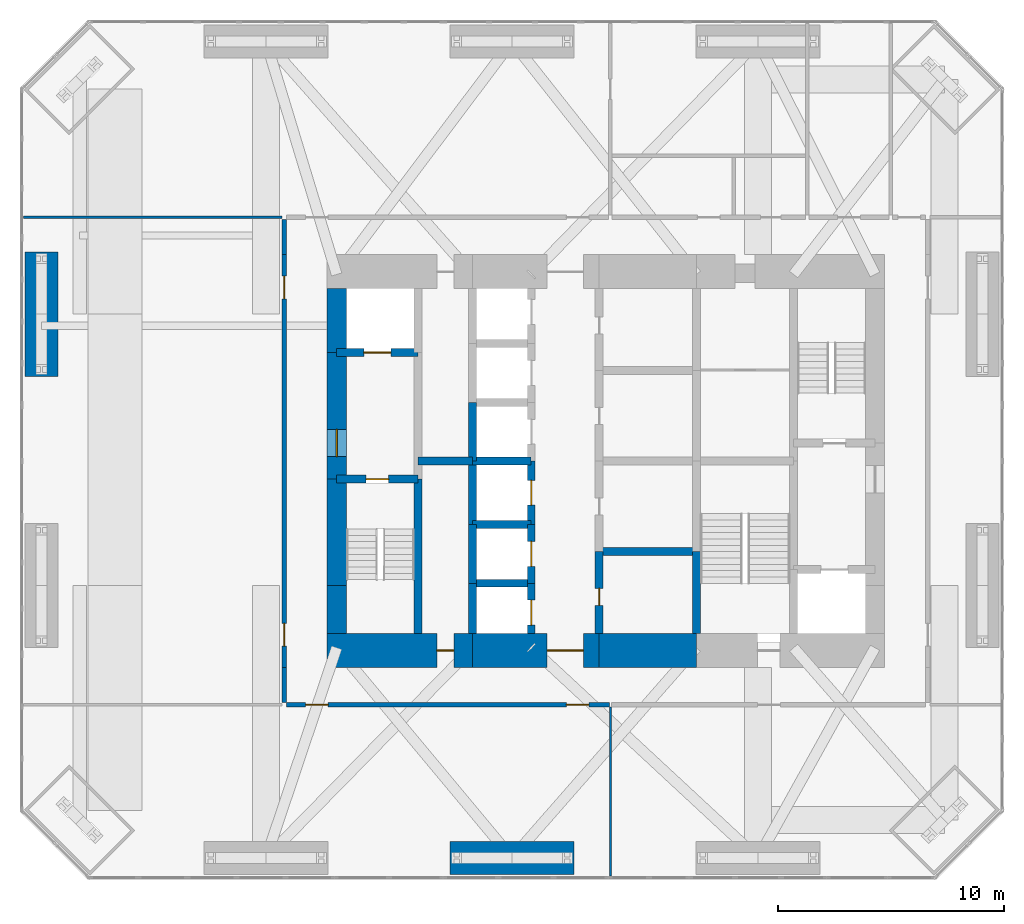
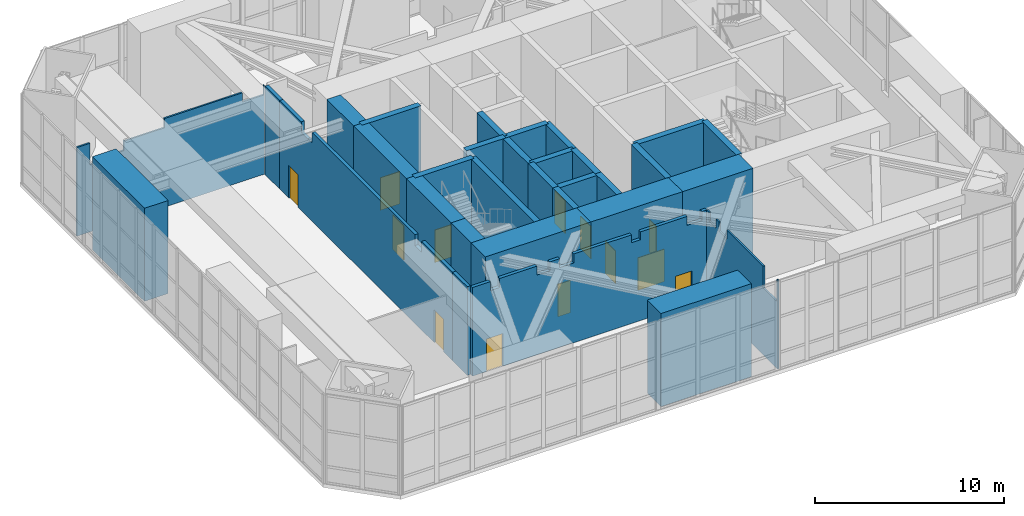
# One storey, part 14 of 18: 32 walls, 13 doors, 13 openings.
"""IFC4 building model written with IfcOpenShell, lengths in metres."""

from ifc_helpers import new_model, si_unit, direction, frame, frame_2d, origin, place, context, subcontext, project, spatial, polyline, rectangle, outline, extrude, material, layer, layer_set, constituent, constituent_set, type_object, element, fill, save


model = new_model("IFC4")

# Units and contexts
model_context = context("Model", 3, precision=1e-05, world=origin(), true_north=direction((0.0, 1.0)))
body_context = subcontext(model_context, "Body", "Model", "MODEL_VIEW")
ifc_project = project(units=[si_unit("LENGTHUNIT", "METRE"), si_unit("AREAUNIT", "SQUARE_METRE"), si_unit("VOLUMEUNIT", "CUBIC_METRE"), si_unit("PLANEANGLEUNIT", "RADIAN"), si_unit("MASSUNIT", "GRAM", prefix="KILO")], contexts=[model_context])

# Site, building, storey
site_placement = place(None, origin())
site = spatial("IfcSite", under=ifc_project, at=site_placement, CompositionType="ELEMENT")
building_placement = place(site_placement, origin())
building = spatial("IfcBuilding", under=site, at=building_placement, Name="Jalousie Tower", CompositionType="ELEMENT")
storey_placement = place(building_placement, frame((0.0, 0.0, 138.35009765625)))
storey = spatial("IfcBuildingStorey", under=building, at=storey_placement, Name="L38", CompositionType="ELEMENT", Elevation=138.35009765625)

# Wall, opening, door
ifc_material_1 = material(Name="Concrete f'c 120 MPa", Category="concrete")
ifc_layer_1 = layer(ifc_material_1, 1.5)
ifc_layer_set_1 = layer_set([ifc_layer_1], Name="Concrete f'c 120 MPa")
wall_type_1 = type_object("IfcWallType", Name="CORE WALL 1500", PredefinedType="SHEAR", material=ifc_layer_set_1)
wall_1_placement = place(storey_placement, frame((19.574951171875, 10.125, 0.0), z_axis=(0.0, 0.0, 1.0), x_axis=(1.0, 0.0, 0.0)))
wall_1 = element("IfcWall", 1, at=wall_1_placement, inside=storey, type_object=wall_type_1, Name="Core wall SA L38", PredefinedType="SHEAR", context=body_context, shape_type="SweptSolid", body=[
    extrude(rectangle(XDim=6.425048828125, YDim=1.5, at=frame_2d((3.21240234375, 0.0))), origin(), (0.0, 0.0, 1.0), 6.0),
])
opening_1_placement = place(wall_1_placement, frame((4.85009765625, 0.0, 0.0)))
opening_1 = element("IfcOpeningElement", 2, at=opening_1_placement, cuts=wall_1, Name="Opening D16", PredefinedType="OPENING", context=body_context, shape_type="SweptSolid", body=[
    extrude(rectangle(XDim=0.75, YDim=2.10009765625, at=frame_2d((0.375, 1.050048828125))), frame((0.0, 0.760009765625, 0.0), z_axis=(0.0, -1.0, 0.0), x_axis=(1.0, 0.0, 0.0)), (0.0, 0.0, 1.0), 1.52001953125),
])
ifc_material_2 = material(Name="Steel fire door", Category="steel")
door_type_1 = type_object("IfcDoorType", Name="RISER DOOR 750", OperationType="SINGLE_SWING_LEFT", PredefinedType="DOOR", material=ifc_material_2)
door_1_placement = place(opening_1_placement, origin())
door_1 = element("IfcDoor", 3, at=door_1_placement, inside=storey, type_object=door_type_1, Name="South riser door", OperationType="SINGLE_SWING_LEFT", OverallHeight=2.10009765625, OverallWidth=0.75, PredefinedType="DOOR", context=body_context, shape_type="SweptSolid", body=[
    extrude(rectangle(XDim=0.75, YDim=2.10009765625, at=frame_2d((0.375, 1.050048828125))), frame((0.0, 0.02490234375, 0.0), z_axis=(0.0, -1.0, 0.0), x_axis=(1.0, 0.0, 0.0)), (0.0, 0.0, 1.0), 0.050048828125),
])
fill(opening_1, door_1)

wall_2_placement = place(storey_placement, frame((26.0, 10.125, 0.0), z_axis=(0.0, 0.0, 1.0), x_axis=(1.0, 0.0, 0.0)))
wall_2 = element("IfcWall", 4, at=wall_2_placement, inside=storey, type_object=wall_type_1, Name="Core wall SB L38", PredefinedType="SHEAR", context=body_context, shape_type="SweptSolid", body=[
    extrude(rectangle(XDim=5.60009765625, YDim=1.5, at=frame_2d((2.800048828125, 0.0))), origin(), (0.0, 0.0, 1.0), 6.0),
])
opening_2_placement = place(wall_2_placement, frame((3.300048828125, 0.0, 0.0)))
opening_2 = element("IfcOpeningElement", 5, at=opening_2_placement, cuts=wall_2, Name="Opening D15", PredefinedType="OPENING", context=body_context, shape_type="SweptSolid", body=[
    extrude(rectangle(XDim=1.60009765625, YDim=2.10009765625, at=frame_2d((0.800048828125, 1.050048828125))), frame((0.0, 0.760009765625, 0.0), z_axis=(0.0, -1.0, 0.0), x_axis=(1.0, 0.0, 0.0)), (0.0, 0.0, 1.0), 1.52001953125),
])
ifc_material_3 = material(Name="Steel fire door", Category="steel")
door_type_2 = type_object("IfcDoorType", Name="LIFT LOBBY DOOR 1600", OperationType="DOUBLE_DOOR_SINGLE_SWING", PredefinedType="DOOR", material=ifc_material_3)
door_2_placement = place(opening_2_placement, origin())
door_2 = element("IfcDoor", 6, at=door_2_placement, inside=storey, type_object=door_type_2, Name="Lift lobby south door", OperationType="DOUBLE_DOOR_SINGLE_SWING", OverallHeight=2.10009765625, OverallWidth=1.60009765625, PredefinedType="DOOR", context=body_context, shape_type="SweptSolid", body=[
    extrude(rectangle(XDim=1.60009765625, YDim=2.10009765625, at=frame_2d((0.800048828125, 1.050048828125))), frame((0.0, 0.02490234375, 0.0), z_axis=(0.0, -1.0, 0.0), x_axis=(1.0, 0.0, 0.0)), (0.0, 0.0, 1.0), 0.050048828125),
])
fill(opening_2, door_2)

# Walls
wall_3_placement = place(storey_placement, frame((31.60009765625, 10.125, 0.0), z_axis=(0.0, 0.0, 1.0), x_axis=(1.0, 0.0, 0.0)))
element("IfcWall", 7, at=wall_3_placement, inside=storey, type_object=wall_type_1, Name="Core wall SC L38", PredefinedType="SHEAR", context=body_context, shape_type="SweptSolid", body=[
    extrude(rectangle(XDim=4.2998046875, YDim=1.5, at=frame_2d((2.14990234375, 0.0))), origin(), (0.0, 0.0, 1.0), 6.0),
])
ifc_material_4 = material(Name="Concrete f'c 120 MPa", Category="concrete")
ifc_layer_2 = layer(ifc_material_4, 0.35009765625)
ifc_layer_set_2 = layer_set([ifc_layer_2], Name="Concrete f'c 120 MPa")
wall_type_2 = type_object("IfcWallType", Name="CORE WALL 350", PredefinedType="SHEAR", material=ifc_layer_set_2)
wall_4_placement = place(storey_placement, frame((23.60009765625, 10.875, 0.0), z_axis=(0.0, 0.0, 1.0), x_axis=(0.0, 1.0, 0.0)))
element("IfcWall", 8, at=wall_4_placement, inside=storey, type_object=wall_type_2, Name="Core wall X23.6A L38", PredefinedType="SHEAR", context=body_context, shape_type="SweptSolid", body=[
    extrude(rectangle(XDim=6.824951171875, YDim=0.35009765625, at=frame_2d((3.41259765625, 0.0))), origin(), (0.0, 0.0, 1.0), 6.0),
])
wall_5_placement = place(storey_placement, frame((26.0, 10.875, 0.0), z_axis=(0.0, 0.0, 1.0), x_axis=(0.0, 1.0, 0.0)))
element("IfcWall", 9, at=wall_5_placement, inside=storey, type_object=wall_type_2, Name="Core wall X26A L38", PredefinedType="SHEAR", context=body_context, shape_type="SweptSolid", body=[
    extrude(rectangle(XDim=2.22509765625, YDim=0.35009765625, at=frame_2d((1.112548828125, 0.0))), origin(), (0.0, 0.0, 1.0), 6.0),
])
wall_6_placement = place(storey_placement, frame((26.0, 13.10009765625, 0.0), z_axis=(0.0, 0.0, 1.0), x_axis=(0.0, 1.0, 0.0)))
element("IfcWall", 10, at=wall_6_placement, inside=storey, type_object=wall_type_2, Name="Core wall X26B L38", PredefinedType="SHEAR", context=body_context, shape_type="SweptSolid", body=[
    extrude(rectangle(XDim=2.599853515625, YDim=0.35009765625, at=frame_2d((1.2998046875, 0.0))), origin(), (0.0, 0.0, 1.0), 6.0),
])
wall_7_placement = place(storey_placement, frame((26.0, 15.699951171875, 0.0), z_axis=(0.0, 0.0, 1.0), x_axis=(0.0, 1.0, 0.0)))
element("IfcWall", 11, at=wall_7_placement, inside=storey, type_object=wall_type_2, Name="Core wall X26C L38", PredefinedType="SHEAR", context=body_context, shape_type="SweptSolid", body=[
    extrude(rectangle(XDim=2.800048828125, YDim=0.35009765625, at=frame_2d((1.39990234375, 0.0))), origin(), (0.0, 0.0, 1.0), 6.0),
])
wall_8_placement = place(storey_placement, frame((26.0, 18.5, 0.0), z_axis=(0.0, 0.0, 1.0), x_axis=(0.0, 1.0, 0.0)))
element("IfcWall", 12, at=wall_8_placement, inside=storey, type_object=wall_type_2, Name="Core wall X26D L38", PredefinedType="SHEAR", context=body_context, shape_type="SweptSolid", body=[
    extrude(rectangle(XDim=2.60009765625, YDim=0.35009765625, at=frame_2d((1.300048828125, 0.0))), origin(), (0.0, 0.0, 1.0), 6.0),
])

# Wall, opening, door
wall_9_placement = place(storey_placement, frame((28.60009765625, 10.875, 0.0), z_axis=(0.0, 0.0, 1.0), x_axis=(0.0, 1.0, 0.0)))
wall_9 = element("IfcWall", 13, at=wall_9_placement, inside=storey, type_object=wall_type_2, Name="Core wall X28.6A L38", PredefinedType="SHEAR", context=body_context, shape_type="SweptSolid", body=[
    extrude(rectangle(XDim=2.22509765625, YDim=0.35009765625, at=frame_2d((1.112548828125, 0.0))), origin(), (0.0, 0.0, 1.0), 6.0),
])
opening_3_placement = place(wall_9_placement, frame((0.375, 0.0, 0.0)))
opening_3 = element("IfcOpeningElement", 14, at=opening_3_placement, cuts=wall_9, Name="Opening LD1", PredefinedType="OPENING", context=body_context, shape_type="SweptSolid", body=[
    extrude(rectangle(XDim=1.10009765625, YDim=2.10009765625, at=frame_2d((0.550048828125, 1.050048828125))), frame((0.0, 0.18505859375, 0.0), z_axis=(0.0, -1.0, 0.0), x_axis=(1.0, 0.0, 0.0)), (0.0, 0.0, 1.0), 0.3701171875),
])
ifc_material_5 = material(Name="Steel lift landing door", Category="steel")
door_type_3 = type_object("IfcDoorType", Name="LIFT LANDING DOOR 1100", OperationType="SLIDING_TO_LEFT", PredefinedType="DOOR", material=ifc_material_5)
door_3_placement = place(opening_3_placement, origin())
door_3 = element("IfcDoor", 15, at=door_3_placement, inside=storey, type_object=door_type_3, Name="Lift P1 landing door", OperationType="SLIDING_TO_LEFT", OverallHeight=2.10009765625, OverallWidth=1.10009765625, PredefinedType="DOOR", context=body_context, shape_type="SweptSolid", body=[
    extrude(rectangle(XDim=1.10009765625, YDim=2.10009765625, at=frame_2d((0.550048828125, 1.050048828125))), frame((0.0, 0.02490234375, 0.0), z_axis=(0.0, -1.0, 0.0), x_axis=(1.0, 0.0, 0.0)), (0.0, 0.0, 1.0), 0.050048828125),
])
fill(opening_3, door_3)

wall_10_placement = place(storey_placement, frame((28.60009765625, 13.10009765625, 0.0), z_axis=(0.0, 0.0, 1.0), x_axis=(0.0, 1.0, 0.0)))
wall_10 = element("IfcWall", 16, at=wall_10_placement, inside=storey, type_object=wall_type_2, Name="Core wall X28.6B L38", PredefinedType="SHEAR", context=body_context, shape_type="SweptSolid", body=[
    extrude(rectangle(XDim=2.599853515625, YDim=0.35009765625, at=frame_2d((1.2998046875, 0.0))), origin(), (0.0, 0.0, 1.0), 6.0),
])
opening_4_placement = place(wall_10_placement, frame((0.75, 0.0, 0.0)))
opening_4 = element("IfcOpeningElement", 17, at=opening_4_placement, cuts=wall_10, Name="Opening LD1", PredefinedType="OPENING", context=body_context, shape_type="SweptSolid", body=[
    extrude(rectangle(XDim=1.10009765625, YDim=2.10009765625, at=frame_2d((0.550048828125, 1.050048828125))), frame((0.0, 0.18505859375, 0.0), z_axis=(0.0, -1.0, 0.0), x_axis=(1.0, 0.0, 0.0)), (0.0, 0.0, 1.0), 0.3701171875),
])
door_4_placement = place(opening_4_placement, origin())
door_4 = element("IfcDoor", 18, at=door_4_placement, inside=storey, type_object=door_type_3, Name="Lift P2 landing door", OperationType="SLIDING_TO_LEFT", OverallHeight=2.10009765625, OverallWidth=1.10009765625, PredefinedType="DOOR", context=body_context, shape_type="SweptSolid", body=[
    extrude(rectangle(XDim=1.10009765625, YDim=2.10009765625, at=frame_2d((0.550048828125, 1.050048828125))), frame((0.0, 0.02490234375, 0.0), z_axis=(0.0, -1.0, 0.0), x_axis=(1.0, 0.0, 0.0)), (0.0, 0.0, 1.0), 0.050048828125),
])
fill(opening_4, door_4)

wall_11_placement = place(storey_placement, frame((28.60009765625, 15.699951171875, 0.0), z_axis=(0.0, 0.0, 1.0), x_axis=(0.0, 1.0, 0.0)))
wall_11 = element("IfcWall", 19, at=wall_11_placement, inside=storey, type_object=wall_type_2, Name="Core wall X28.6C L38", PredefinedType="SHEAR", context=body_context, shape_type="SweptSolid", body=[
    extrude(rectangle(XDim=2.800048828125, YDim=0.35009765625, at=frame_2d((1.39990234375, 0.0))), origin(), (0.0, 0.0, 1.0), 6.0),
])
opening_5_placement = place(wall_11_placement, frame((0.85009765625, 0.0, 0.0)))
opening_5 = element("IfcOpeningElement", 20, at=opening_5_placement, cuts=wall_11, Name="Opening LD1", PredefinedType="OPENING", context=body_context, shape_type="SweptSolid", body=[
    extrude(rectangle(XDim=1.10009765625, YDim=2.10009765625, at=frame_2d((0.550048828125, 1.050048828125))), frame((0.0, 0.18505859375, 0.0), z_axis=(0.0, -1.0, 0.0), x_axis=(1.0, 0.0, 0.0)), (0.0, 0.0, 1.0), 0.3701171875),
])
door_5_placement = place(opening_5_placement, origin())
door_5 = element("IfcDoor", 21, at=door_5_placement, inside=storey, type_object=door_type_3, Name="Lift P3 landing door", OperationType="SLIDING_TO_LEFT", OverallHeight=2.10009765625, OverallWidth=1.10009765625, PredefinedType="DOOR", context=body_context, shape_type="SweptSolid", body=[
    extrude(rectangle(XDim=1.10009765625, YDim=2.10009765625, at=frame_2d((0.550048828125, 1.050048828125))), frame((0.0, 0.02490234375, 0.0), z_axis=(0.0, -1.0, 0.0), x_axis=(1.0, 0.0, 0.0)), (0.0, 0.0, 1.0), 0.050048828125),
])
fill(opening_5, door_5)

wall_12_placement = place(storey_placement, frame((31.60009765625, 10.875, 0.0), z_axis=(0.0, 0.0, 1.0), x_axis=(0.0, 1.0, 0.0)))
wall_12 = element("IfcWall", 22, at=wall_12_placement, inside=storey, type_object=wall_type_2, Name="Core wall X31.6A L38", PredefinedType="SHEAR", context=body_context, shape_type="SweptSolid", body=[
    extrude(rectangle(XDim=3.625, YDim=0.35009765625, at=frame_2d((1.8125, 0.0))), origin(), (0.0, 0.0, 1.0), 6.0),
])
opening_6_placement = place(wall_12_placement, frame((1.25, 0.0, 0.0)))
opening_6 = element("IfcOpeningElement", 23, at=opening_6_placement, cuts=wall_12, Name="Opening D16", PredefinedType="OPENING", context=body_context, shape_type="SweptSolid", body=[
    extrude(rectangle(XDim=0.75, YDim=2.10009765625, at=frame_2d((0.375, 1.050048828125))), frame((0.0, 0.18505859375, 0.0), z_axis=(0.0, -1.0, 0.0), x_axis=(1.0, 0.0, 0.0)), (0.0, 0.0, 1.0), 0.3701171875),
])
door_6_placement = place(opening_6_placement, frame((0.75, 0.0, 0.0), z_axis=(0.0, 0.0, 1.0), x_axis=(-1.0, 0.0, 0.0)))
door_6 = element("IfcDoor", 24, at=door_6_placement, inside=storey, type_object=door_type_1, Name="Refuse Room door", OperationType="SINGLE_SWING_RIGHT", OverallHeight=2.10009765625, OverallWidth=0.75, PredefinedType="DOOR", context=body_context, shape_type="SweptSolid", body=[
    extrude(rectangle(XDim=0.75, YDim=2.10009765625, at=frame_2d((0.375, 1.050048828125))), frame((0.0, 0.02490234375, 0.0), z_axis=(0.0, -1.0, 0.0), x_axis=(1.0, 0.0, 0.0)), (0.0, 0.0, 1.0), 0.050048828125),
])
fill(opening_6, door_6)

# Wall
wall_13_placement = place(storey_placement, frame((35.89990234375, 10.875, 0.0), z_axis=(0.0, 0.0, 1.0), x_axis=(0.0, 1.0, 0.0)))
element("IfcWall", 25, at=wall_13_placement, inside=storey, type_object=wall_type_2, Name="Core wall X35.9A L38", PredefinedType="SHEAR", context=body_context, shape_type="SweptSolid", body=[
    extrude(rectangle(XDim=3.625, YDim=0.35009765625, at=frame_2d((1.8125, 0.0))), origin(), (0.0, 0.0, 1.0), 6.0),
])

# Wall, opening, door
wall_14_placement = place(storey_placement, frame((20.0, 17.699951171875, 0.0), z_axis=(0.0, 0.0, 1.0), x_axis=(1.0, 0.0, 0.0)))
wall_14 = element("IfcWall", 26, at=wall_14_placement, inside=storey, type_object=wall_type_2, Name="Core wall Y20-17.7 L38", PredefinedType="SHEAR", context=body_context, shape_type="SweptSolid", body=[
    extrude(rectangle(XDim=3.60009765625, YDim=0.35009765625, at=frame_2d((1.800048828125, 0.0))), origin(), (0.0, 0.0, 1.0), 6.0),
])
opening_7_placement = place(wall_14_placement, frame((1.300048828125, 0.0, 0.0)))
opening_7 = element("IfcOpeningElement", 27, at=opening_7_placement, cuts=wall_14, Name="Opening D10", PredefinedType="OPENING", context=body_context, shape_type="SweptSolid", body=[
    extrude(rectangle(XDim=1.0, YDim=2.10009765625, at=frame_2d((0.5, 1.050048828125))), frame((0.0, 0.18505859375, 0.0), z_axis=(0.0, -1.0, 0.0), x_axis=(1.0, 0.0, 0.0)), (0.0, 0.0, 1.0), 0.3701171875),
])
ifc_material_6 = material(Name="Steel fire door", Category="steel")
door_type_4 = type_object("IfcDoorType", Name="STAIR DOOR 1000", OperationType="SINGLE_SWING_LEFT", PredefinedType="DOOR", material=ifc_material_6)
door_7_placement = place(opening_7_placement, frame((1.0, 0.0, 0.0), z_axis=(0.0, 0.0, 1.0), x_axis=(-1.0, 0.0, 0.0)))
door_7 = element("IfcDoor", 28, at=door_7_placement, inside=storey, type_object=door_type_4, Name="Exit stair A door", OperationType="SINGLE_SWING_RIGHT", OverallHeight=2.10009765625, OverallWidth=1.0, PredefinedType="DOOR", context=body_context, shape_type="SweptSolid", body=[
    extrude(rectangle(XDim=1.0, YDim=2.10009765625, at=frame_2d((0.5, 1.050048828125))), frame((0.0, 0.02490234375, 0.0), z_axis=(0.0, -1.0, 0.0), x_axis=(1.0, 0.0, 0.0)), (0.0, 0.0, 1.0), 0.050048828125),
])
fill(opening_7, door_7)

wall_15_placement = place(storey_placement, frame((20.0, 23.300048828125, 0.0), z_axis=(0.0, 0.0, 1.0), x_axis=(1.0, 0.0, 0.0)))
wall_15 = element("IfcWall", 29, at=wall_15_placement, inside=storey, type_object=wall_type_2, Name="Core wall Y20-23.3 L38", PredefinedType="SHEAR", context=body_context, shape_type="SweptSolid", body=[
    extrude(rectangle(XDim=3.60009765625, YDim=0.35009765625, at=frame_2d((1.800048828125, 0.0))), origin(), (0.0, 0.0, 1.0), 6.0),
])
opening_8_placement = place(wall_15_placement, frame((1.199951171875, 0.0, 0.0)))
opening_8 = element("IfcOpeningElement", 30, at=opening_8_placement, cuts=wall_15, Name="Opening LD2", PredefinedType="OPENING", context=body_context, shape_type="SweptSolid", body=[
    extrude(rectangle(XDim=1.199951171875, YDim=2.10009765625, at=frame_2d((0.60009765625, 1.050048828125))), frame((0.0, 0.18505859375, 0.0), z_axis=(0.0, -1.0, 0.0), x_axis=(1.0, 0.0, 0.0)), (0.0, 0.0, 1.0), 0.3701171875),
])
ifc_material_7 = material(Name="Steel lift landing door", Category="steel")
door_type_5 = type_object("IfcDoorType", Name="LIFT LANDING DOOR 1200", OperationType="SLIDING_TO_LEFT", PredefinedType="DOOR", material=ifc_material_7)
door_8_placement = place(opening_8_placement, origin())
door_8 = element("IfcDoor", 31, at=door_8_placement, inside=storey, type_object=door_type_5, Name="Lift F1 landing door", OperationType="SLIDING_TO_LEFT", OverallHeight=2.10009765625, OverallWidth=1.199951171875, PredefinedType="DOOR", context=body_context, shape_type="SweptSolid", body=[
    extrude(rectangle(XDim=1.199951171875, YDim=2.10009765625, at=frame_2d((0.60009765625, 1.050048828125))), frame((0.0, 0.02490234375, 0.0), z_axis=(0.0, -1.0, 0.0), x_axis=(1.0, 0.0, 0.0)), (0.0, 0.0, 1.0), 0.050048828125),
])
fill(opening_8, door_8)

# Walls
wall_16_placement = place(storey_placement, frame((23.60009765625, 18.5, 0.0), z_axis=(0.0, 0.0, 1.0), x_axis=(1.0, 0.0, 0.0)))
element("IfcWall", 32, at=wall_16_placement, inside=storey, type_object=wall_type_2, Name="Core wall Y23.6-18.5 L38", PredefinedType="SHEAR", context=body_context, shape_type="SweptSolid", body=[
    extrude(rectangle(XDim=2.39990234375, YDim=0.35009765625, at=frame_2d((1.199951171875, 0.0))), origin(), (0.0, 0.0, 1.0), 6.0),
])
for number, where, z_axis, x_axis, name in (
    (33, (26.0, 13.10009765625, 0.0), (0.0, 0.0, 1.0), (1.0, 0.0, 0.0), "Core wall Y26-13.1 L38"),
    (34, (26.0, 15.699951171875, 0.0), (0.0, 0.0, 1.0), (1.0, 0.0, 0.0), "Core wall Y26-15.7 L38"),
    (35, (26.0, 18.5, 0.0), (0.0, 0.0, 1.0), (1.0, 0.0, 0.0), "Core wall Y26-18.5 L38"),
):
    element("IfcWall", number, at=place(storey_placement, frame(where, z_axis=z_axis, x_axis=x_axis)), inside=storey, type_object=wall_type_2, Name=name, PredefinedType="SHEAR", context=body_context, shape_type="SweptSolid", body=[
        extrude(rectangle(XDim=2.60009765625, YDim=0.35009765625, at=frame_2d((1.300048828125, 0.0))), origin(), (0.0, 0.0, 1.0), 6.0),
    ])
wall_17_placement = place(storey_placement, frame((31.60009765625, 14.5, 0.0), z_axis=(0.0, 0.0, 1.0), x_axis=(1.0, 0.0, 0.0)))
element("IfcWall", 36, at=wall_17_placement, inside=storey, type_object=wall_type_2, Name="Core wall Y31.6-14.5 L38", PredefinedType="SHEAR", context=body_context, shape_type="SweptSolid", body=[
    extrude(rectangle(XDim=4.2998046875, YDim=0.35009765625, at=frame_2d((2.14990234375, 0.0))), origin(), (0.0, 0.0, 1.0), 6.0),
])
ifc_material_8 = material(Name="Concrete f'c 120 MPa", Category="concrete")
ifc_layer_3 = layer(ifc_material_8, 0.85009765625)
ifc_layer_set_3 = layer_set([ifc_layer_3], Name="Concrete f'c 120 MPa")
wall_type_3 = type_object("IfcWallType", Name="CORE WALL 850", PredefinedType="SHEAR", material=ifc_layer_set_3)
wall_18_placement = place(storey_placement, frame((20.0, 26.125, 0.0), z_axis=(0.0, 0.0, 1.0), x_axis=(0.0, -1.0, 0.0)))
element("IfcWall", 37, at=wall_18_placement, inside=storey, type_object=wall_type_3, Name="Core wall WA L38", PredefinedType="SHEAR", context=body_context, shape_type="SweptSolid", body=[
    extrude(rectangle(XDim=2.824951171875, YDim=0.85009765625, at=frame_2d((1.41259765625, 0.0))), origin(), (0.0, 0.0, 1.0), 6.0),
])

# Wall, opening, door
wall_19_placement = place(storey_placement, frame((20.0, 23.300048828125, 0.0), z_axis=(0.0, 0.0, 1.0), x_axis=(0.0, -1.0, 0.0)))
wall_19 = element("IfcWall", 38, at=wall_19_placement, inside=storey, type_object=wall_type_3, Name="Core wall WB L38", PredefinedType="SHEAR", context=body_context, shape_type="SweptSolid", body=[
    extrude(rectangle(XDim=5.60009765625, YDim=0.85009765625, at=frame_2d((2.800048828125, 0.0))), origin(), (0.0, 0.0, 1.0), 6.0),
])
opening_9_placement = place(wall_19_placement, frame((3.39990234375, 0.0, 0.0)))
opening_9 = element("IfcOpeningElement", 39, at=opening_9_placement, cuts=wall_19, Name="Opening D11", PredefinedType="OPENING", context=body_context, shape_type="SweptSolid", body=[
    extrude(rectangle(XDim=1.199951171875, YDim=2.199951171875, at=frame_2d((0.60009765625, 1.10009765625))), frame((0.0, 0.43505859375, 0.0), z_axis=(0.0, -1.0, 0.0), x_axis=(1.0, 0.0, 0.0)), (0.0, 0.0, 1.0), 0.8701171875),
])
ifc_material_9 = material(Name="Steel fire door", Category="steel")
door_type_6 = type_object("IfcDoorType", Name="FIRE DOOR 1200", OperationType="SINGLE_SWING_LEFT", PredefinedType="DOOR", material=ifc_material_9)
door_9_placement = place(opening_9_placement, origin())
door_9 = element("IfcDoor", 40, at=door_9_placement, inside=storey, type_object=door_type_6, Name="Fire-fighting lobby A door", OperationType="SINGLE_SWING_RIGHT", OverallHeight=2.199951171875, OverallWidth=1.199951171875, PredefinedType="DOOR", context=body_context, shape_type="SweptSolid", body=[
    extrude(rectangle(XDim=1.199951171875, YDim=2.199951171875, at=frame_2d((0.60009765625, 1.10009765625))), frame((0.0, 0.02490234375, 0.0), z_axis=(0.0, -1.0, 0.0), x_axis=(1.0, 0.0, 0.0)), (0.0, 0.0, 1.0), 0.050048828125),
])
fill(opening_9, door_9)

# Walls
wall_20_placement = place(storey_placement, frame((20.0, 17.699951171875, 0.0), z_axis=(0.0, 0.0, 1.0), x_axis=(0.0, -1.0, 0.0)))
element("IfcWall", 41, at=wall_20_placement, inside=storey, type_object=wall_type_3, Name="Core wall WC L38", PredefinedType="SHEAR", context=body_context, shape_type="SweptSolid", body=[
    extrude(rectangle(XDim=4.699951171875, YDim=0.85009765625, at=frame_2d((2.35009765625, 0.0))), origin(), (0.0, 0.0, 1.0), 6.0),
])
wall_21_placement = place(storey_placement, frame((20.0, 13.0, 0.0), z_axis=(0.0, 0.0, 1.0), x_axis=(0.0, -1.0, 0.0)))
element("IfcWall", 42, at=wall_21_placement, inside=storey, type_object=wall_type_3, Name="Core wall WD L38", PredefinedType="SHEAR", context=body_context, shape_type="SweptSolid", body=[
    extrude(rectangle(XDim=2.125, YDim=0.85009765625, at=frame_2d((1.0625, 0.0))), origin(), (0.0, 0.0, 1.0), 6.0),
])

# Wall, openings, doors
ifc_material_10 = material(Name="Concrete block ASTM C90", Category="concrete")
ifc_constituent_1 = constituent(ifc_material_10, Name="Body")
ifc_material_11 = material(Name="Render")
ifc_constituent_2 = constituent(ifc_material_11, Name="Finish")
ifc_constituent_set_1 = constituent_set(constituents=[ifc_constituent_1, ifc_constituent_2])
wall_type_4 = type_object("IfcWallType", Name="CORRIDOR WALL 200", PredefinedType="PARTITIONING", material=ifc_constituent_set_1)
wall_22_placement = place(storey_placement, frame((17.77490234375, 7.72509765625, 0.0), z_axis=(0.0, 0.0, 1.0), x_axis=(1.0, 0.0, 0.0)))
wall_22 = element("IfcWall", 43, at=wall_22_placement, inside=storey, type_object=wall_type_4, Name="Corridor Wall 200 L38", PredefinedType="PARTITIONING", context=body_context, shape_type="SweptSolid", body=[
    extrude(outline(polyline([(0.0, 0.0), (14.275146484375, 0.0), (14.27490234375, 5.719970703125), (14.001953125, 5.719970703125), (14.001953125, 5.140869140625), (13.091796875, 5.140869140625), (13.091796875, 5.719970703125), (10.259521484375, 5.719970703125), (10.259521484375, 5.2080078125), (9.6904296875, 5.2080078125), (9.6904296875, 5.719970703125), (6.176513671875, 5.719970703125), (6.176513671875, 5.140869140625), (5.318603515625, 5.140869140625), (5.318603515625, 5.719970703125), (4.719970703125, 5.719970703125), (4.719970703125, 5.140869140625), (3.9384765625, 5.140869140625), (3.9384765625, 5.719970703125), (1.6591796875, 5.719970703125), (1.6591796875, 5.140869140625), (1.09375, 5.140869140625), (1.09375, 5.719970703125), (0.0, 5.719970703125), (0.0, 0.0)])), frame((0.0, 0.10009765625, 0.0), z_axis=(0.0, -1.0, 0.0), x_axis=(1.0, 0.0, 0.0)), (0.0, 0.0, 1.0), 0.199951171875),
])
opening_10_placement = place(wall_22_placement, frame((0.85009765625, 0.0, 0.0)))
opening_10 = element("IfcOpeningElement", 44, at=opening_10_placement, cuts=wall_22, Name="Opening D21", PredefinedType="OPENING", context=body_context, shape_type="SweptSolid", body=[
    extrude(rectangle(XDim=1.0, YDim=2.10009765625, at=frame_2d((0.5, 1.050048828125))), frame((0.0, 0.10986328125, 0.0), z_axis=(0.0, -1.0, 0.0), x_axis=(1.0, 0.0, 0.0)), (0.0, 0.0, 1.0), 0.219970703125),
])
opening_11_placement = place(wall_22_placement, frame((12.375, 0.0, 0.0)))
opening_11 = element("IfcOpeningElement", 45, at=opening_11_placement, cuts=wall_22, Name="Opening D21", PredefinedType="OPENING", context=body_context, shape_type="SweptSolid", body=[
    extrude(rectangle(XDim=1.0, YDim=2.10009765625, at=frame_2d((0.5, 1.050048828125))), frame((0.0, 0.10986328125, 0.0), z_axis=(0.0, -1.0, 0.0), x_axis=(1.0, 0.0, 0.0)), (0.0, 0.0, 1.0), 0.219970703125),
])
ifc_material_12 = material(Name="Timber fire door", Category="wood")
door_type_7 = type_object("IfcDoorType", Name="CORRIDOR DOOR 1000", OperationType="SINGLE_SWING_LEFT", PredefinedType="DOOR", material=ifc_material_12)
door_10_placement = place(opening_10_placement, frame((1.0, 0.0, 0.0), z_axis=(0.0, 0.0, 1.0), x_axis=(-1.0, 0.0, 0.0)))
door_10 = element("IfcDoor", 46, at=door_10_placement, inside=storey, type_object=door_type_7, Name="Sky dining room door", OperationType="SINGLE_SWING_RIGHT", OverallHeight=2.10009765625, OverallWidth=1.0, PredefinedType="DOOR", context=body_context, shape_type="SweptSolid", body=[
    extrude(rectangle(XDim=1.0, YDim=2.10009765625, at=frame_2d((0.5, 1.050048828125))), frame((0.0, 0.02490234375, 0.0), z_axis=(0.0, -1.0, 0.0), x_axis=(1.0, 0.0, 0.0)), (0.0, 0.0, 1.0), 0.050048828125),
])
fill(opening_10, door_10)
door_11_placement = place(opening_11_placement, frame((1.0, 0.0, 0.0), z_axis=(0.0, 0.0, 1.0), x_axis=(-1.0, 0.0, 0.0)))
door_11 = element("IfcDoor", 47, at=door_11_placement, inside=storey, type_object=door_type_7, Name="Sky dining room second door", OperationType="SINGLE_SWING_LEFT", OverallHeight=2.10009765625, OverallWidth=1.0, PredefinedType="DOOR", context=body_context, shape_type="SweptSolid", body=[
    extrude(rectangle(XDim=1.0, YDim=2.10009765625, at=frame_2d((0.5, 1.050048828125))), frame((0.0, 0.02490234375, 0.0), z_axis=(0.0, -1.0, 0.0), x_axis=(1.0, 0.0, 0.0)), (0.0, 0.0, 1.0), 0.050048828125),
])
fill(opening_11, door_11)

# Walls
for number, where, z_axis, x_axis, name in (
    (48, (17.675048828125, 7.824951171875, 0.0), (0.0, 0.0, 1.0), (0.0, 1.0, 0.0), "Corridor Wall 200 L38"),
    (49, (17.675048828125, 27.625, 0.0), (0.0, 0.0, 1.0), (0.0, 1.0, 0.0), "Corridor Wall 200 L38"),
):
    element("IfcWall", number, at=place(storey_placement, frame(where, z_axis=z_axis, x_axis=x_axis)), inside=storey, type_object=wall_type_4, Name=name, PredefinedType="PARTITIONING", context=body_context, shape_type="SweptSolid", body=[
        extrude(rectangle(XDim=1.550048828125, YDim=0.199951171875, at=frame_2d((0.77490234375, 0.0))), origin(), (0.0, 0.0, 1.0), 5.719970703125),
    ])

# Wall, openings, doors
wall_23_placement = place(storey_placement, frame((17.675048828125, 9.375, 0.0), z_axis=(0.0, 0.0, 1.0), x_axis=(0.0, 1.0, 0.0)))
wall_23 = element("IfcWall", 50, at=wall_23_placement, inside=storey, type_object=wall_type_4, Name="Corridor Wall 200 L38", PredefinedType="PARTITIONING", context=body_context, shape_type="SweptSolid", body=[
    extrude(outline(polyline([(0.0, 0.0), (18.25, 0.0), (18.25, 5.719970703125), (15.97509765625, 5.719970703125), (15.97509765625, 5.02001953125), (15.27490234375, 5.02001953125), (15.27490234375, 5.0595703125), (14.83349609375, 5.0595703125), (14.83349609375, 5.719970703125), (3.97509765625, 5.719970703125), (3.97509765625, 5.02001953125), (3.27490234375, 5.02001953125), (3.27490234375, 5.719970703125), (0.0, 5.719970703125), (0.0, 0.0)])), frame((0.0, 0.10009765625, 0.0), z_axis=(0.0, -1.0, 0.0), x_axis=(1.0, 0.0, 0.0)), (0.0, 0.0, 1.0), 0.199951171875),
])
opening_12_placement = place(wall_23_placement, frame((0.949951171875, 0.0, 0.0)))
opening_12 = element("IfcOpeningElement", 51, at=opening_12_placement, cuts=wall_23, Name="Opening D21", PredefinedType="OPENING", context=body_context, shape_type="SweptSolid", body=[
    extrude(rectangle(XDim=1.0, YDim=2.10009765625, at=frame_2d((0.5, 1.050048828125))), frame((0.0, 0.10986328125, 0.0), z_axis=(0.0, -1.0, 0.0), x_axis=(1.0, 0.0, 0.0)), (0.0, 0.0, 1.0), 0.219970703125),
])
opening_13_placement = place(wall_23_placement, frame((16.300048828125, 0.0, 0.0)))
opening_13 = element("IfcOpeningElement", 52, at=opening_13_placement, cuts=wall_23, Name="Opening D21", PredefinedType="OPENING", context=body_context, shape_type="SweptSolid", body=[
    extrude(rectangle(XDim=1.0, YDim=2.10009765625, at=frame_2d((0.5, 1.050048828125))), frame((0.0, 0.10986328125, 0.0), z_axis=(0.0, -1.0, 0.0), x_axis=(1.0, 0.0, 0.0)), (0.0, 0.0, 1.0), 0.219970703125),
])
door_12_placement = place(opening_12_placement, origin())
door_12 = element("IfcDoor", 53, at=door_12_placement, inside=storey, type_object=door_type_7, Name="Library door", OperationType="SINGLE_SWING_LEFT", OverallHeight=2.10009765625, OverallWidth=1.0, PredefinedType="DOOR", context=body_context, shape_type="SweptSolid", body=[
    extrude(rectangle(XDim=1.0, YDim=2.10009765625, at=frame_2d((0.5, 1.050048828125))), frame((0.0, 0.02490234375, 0.0), z_axis=(0.0, -1.0, 0.0), x_axis=(1.0, 0.0, 0.0)), (0.0, 0.0, 1.0), 0.050048828125),
])
fill(opening_12, door_12)
door_13_placement = place(opening_13_placement, origin())
door_13 = element("IfcDoor", 54, at=door_13_placement, inside=storey, type_object=door_type_7, Name="Library second door", OperationType="SINGLE_SWING_RIGHT", OverallHeight=2.10009765625, OverallWidth=1.0, PredefinedType="DOOR", context=body_context, shape_type="SweptSolid", body=[
    extrude(rectangle(XDim=1.0, YDim=2.10009765625, at=frame_2d((0.5, 1.050048828125))), frame((0.0, 0.02490234375, 0.0), z_axis=(0.0, -1.0, 0.0), x_axis=(1.0, 0.0, 0.0)), (0.0, 0.0, 1.0), 0.050048828125),
])
fill(opening_13, door_13)

# Walls
ifc_material_13 = material(Name="Gypsum board", Category="gypsum")
ifc_constituent_3 = constituent(ifc_material_13, Name="Body")
ifc_material_14 = material(Name="Light-gauge steel studs ASTM A653 SS Grade 33", Category="steel")
ifc_constituent_4 = constituent(ifc_material_14, Name="Framing")
ifc_constituent_set_2 = constituent_set(constituents=[ifc_constituent_3, ifc_constituent_4])
wall_type_5 = type_object("IfcWallType", Name="PARTITION 100", PredefinedType="PARTITIONING", material=ifc_constituent_set_2)
wall_24_placement = place(storey_placement, frame((32.10009765625, 0.14990234375, 0.0), z_axis=(0.0, 0.0, 1.0), x_axis=(0.0, 1.0, 0.0)))
element("IfcWall", 55, at=wall_24_placement, inside=storey, type_object=wall_type_5, Name="Partition 100 L38", PredefinedType="PARTITIONING", context=body_context, shape_type="SweptSolid", body=[
    extrude(outline(polyline([(0.0, 0.0), (7.47509765625, 0.0), (7.47509765625, 5.719970703125), (7.2216796875, 5.719970703125), (7.2216796875, 5.140869140625), (6.484619140625, 5.140869140625), (6.484619140625, 5.719970703125), (6.17919921875, 5.719970703125), (6.17919921875, 5.140869140625), (5.348388671875, 5.140869140625), (5.348388671875, 5.719970703125), (1.5, 5.719970703125), (1.5, 4.31982421875), (0.10009765625, 4.31982421875), (0.10009765625, 5.719970703125), (0.0, 5.719970703125), (0.0, 0.0)])), frame((0.0, 0.050048828125, 0.0), z_axis=(0.0, -1.0, 0.0), x_axis=(1.0, 0.0, 0.0)), (0.0, 0.0, 1.0), 0.10009765625),
])
wall_25_placement = place(storey_placement, frame((6.14990234375, 29.27490234375, 0.0), z_axis=(0.0, 0.0, 1.0), x_axis=(1.0, 0.0, 0.0)))
element("IfcWall", 56, at=wall_25_placement, inside=storey, type_object=wall_type_5, Name="Partition 100 L38", PredefinedType="PARTITIONING", context=body_context, shape_type="SweptSolid", body=[
    extrude(outline(polyline([(0.0, 0.0), (11.425048828125, 0.0), (11.425048828125, 5.719970703125), (11.385009765625, 5.719970703125), (11.385009765625, 5.119873046875), (10.06494140625, 5.119873046875), (10.06494140625, 5.719970703125), (5.31005859375, 5.719970703125), (5.31005859375, 5.119873046875), (2.84130859375, 5.119873046875), (2.84130859375, 4.52001953125), (2.21044921875, 4.52001953125), (2.21044921875, 4.31982421875), (0.77587890625, 4.31982421875), (0.77587890625, 5.719970703125), (0.0, 5.719970703125), (0.0, 0.0)])), frame((0.0, 0.050048828125, 0.0), z_axis=(0.0, -1.0, 0.0), x_axis=(1.0, 0.0, 0.0)), (0.0, 0.0, 1.0), 0.10009765625),
])
ifc_material_15 = material(Name="Concrete f'c 120 MPa", Category="concrete")
ifc_layer_4 = layer(ifc_material_15, 1.449951171875)
ifc_layer_set_4 = layer_set([ifc_layer_4], Name="Concrete f'c 120 MPa")
wall_type_6 = type_object("IfcWallType", Name="RC WALL PIER 1450", PredefinedType="SHEAR", material=ifc_layer_set_4)
for number, where, z_axis, x_axis, name in (
    (57, (25.0, 0.949951171875, 0.0), (0.0, 0.0, 1.0), (1.0, 0.0, 0.0), "Wall pier 03 L38"),
    (58, (6.949951171875, 22.25, 0.0), (0.0, 0.0, 1.0), (0.0, 1.0, 0.0), "Wall pier 13 L38"),
):
    element("IfcWall", number, at=place(storey_placement, frame(where, z_axis=z_axis, x_axis=x_axis)), inside=storey, type_object=wall_type_6, Name=name, PredefinedType="SHEAR", context=body_context, shape_type="SweptSolid", body=[
        extrude(rectangle(XDim=5.5, YDim=1.449951171875, at=frame_2d((2.75, 0.0))), origin(), (0.0, 0.0, 1.0), 6.0),
    ])

save(model, "model.ifc")
